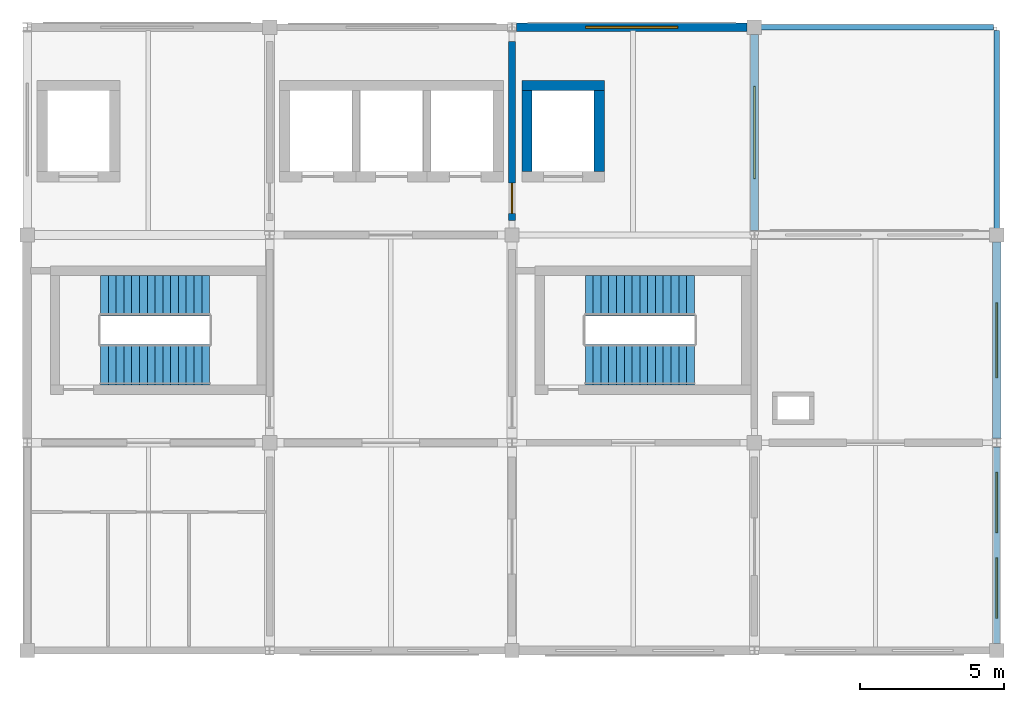
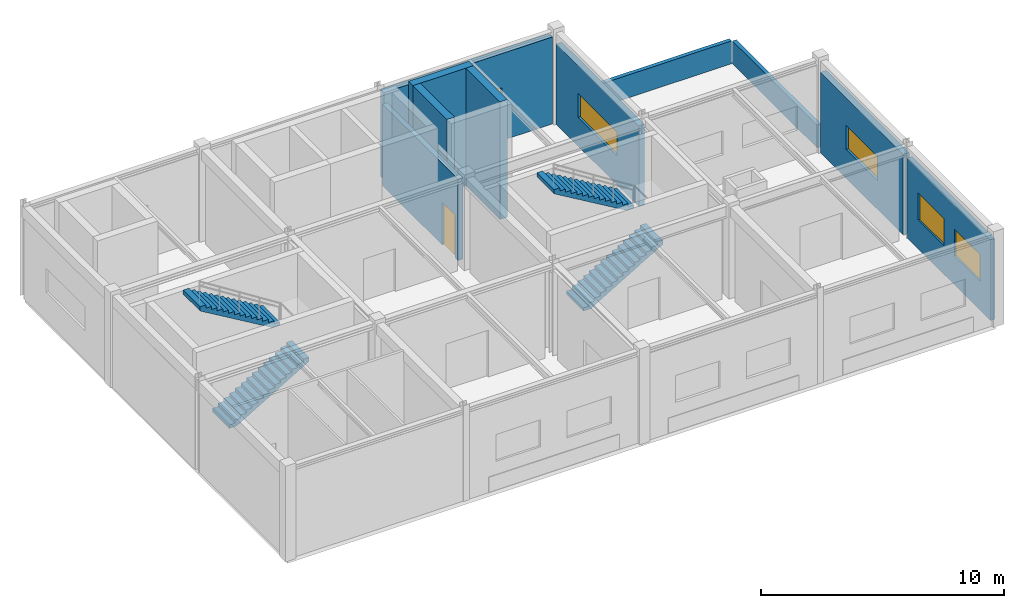
# One storey, part 4 of 5: 10 walls, 5 windows, 4 stair flights, 1 door, 6 openings, 2 elements without a shape of their own.
"""IFC4 building model written with IfcOpenShell, lengths in metres."""

from ifc_helpers import new_model, si_unit, derived_unit, direction, frame, frame_2d, origin, place, context, subcontext, project, spatial, polyline, rectangle, outline, extrude, material, layer, layer_set, type_object, element, fill, aggregate, save


model = new_model("IFC4")

# Units and contexts
model_context = context("Model", 3, precision=1e-05, world=origin(), true_north=direction((0.0, 1.0)))
body_context = subcontext(model_context, "Body", "Model", "MODEL_VIEW")
ifc_project = project(units=[si_unit("LENGTHUNIT", "METRE"), si_unit("AREAUNIT", "SQUARE_METRE"), si_unit("VOLUMEUNIT", "CUBIC_METRE"), si_unit("PLANEANGLEUNIT", "RADIAN"), si_unit("MASSUNIT", "GRAM", prefix="KILO"), derived_unit("THERMALTRANSMITTANCEUNIT", [(si_unit("MASSUNIT", "GRAM", prefix="KILO"), 1), (si_unit("TIMEUNIT", "SECOND"), -3), (si_unit("THERMODYNAMICTEMPERATUREUNIT", "KELVIN"), -1)])], contexts=[model_context])

# Site, building, storey
site_placement = place(None, origin())
site = spatial("IfcSite", under=ifc_project, at=site_placement, CompositionType="ELEMENT")
building_placement = place(site_placement, origin())
building = spatial("IfcBuilding", under=site, at=building_placement, Name="Veldstrom Oceanarium and Marine Research Institute", CompositionType="ELEMENT")
storey_placement = place(building_placement, frame((0.0, 0.0, 69.0)))
storey = spatial("IfcBuildingStorey", under=building, at=storey_placement, Name="L15", CompositionType="ELEMENT", Elevation=69.0)

# Wall, opening, window
ifc_material_1 = material(Name="Masonry Cavity Wall", Category="masonry")
ifc_layer_1 = layer(ifc_material_1, 0.2900390625)
ifc_layer_set_1 = layer_set([ifc_layer_1], Name="ARC-WAL-EW2")
wall_type_1 = type_object("IfcWallType", Name="ARC-WAL-EW2", PredefinedType="SOLIDWALL", material=ifc_layer_set_1)
wall_1_placement = place(storey_placement, frame((92.550048828125, 64.800048828125, 0.0), z_axis=(0.0, 0.0, 1.0), x_axis=(1.0, 0.0, 0.0)))
wall_1 = element("IfcWall", 1, at=wall_1_placement, inside=storey, type_object=wall_type_1, Name="Exterior Facade Wall EW2 L15-289", PredefinedType="SOLIDWALL", context=body_context, shape_type="SweptSolid", body=[
    extrude(rectangle(XDim=8.0, YDim=0.2900390625, at=frame_2d((4.0, 0.0))), origin(), (0.0, 0.0, 1.0), 4.364990234375),
])
opening_1_placement = place(wall_1_placement, frame((2.39990234375, 0.0, 1.449951171875)))
opening_1 = element("IfcOpeningElement", 2, at=opening_1_placement, cuts=wall_1, Name="Opening W17", PredefinedType="OPENING", context=body_context, shape_type="SweptSolid", body=[
    extrude(rectangle(XDim=3.199951171875, YDim=1.199951171875, at=frame_2d((1.60009765625, 0.60009765625))), frame((0.0, 0.155029296875, 0.0), z_axis=(0.0, -1.0, 0.0), x_axis=(1.0, 0.0, 0.0)), (0.0, 0.0, 1.0), 0.31005859375),
])
ifc_material_2 = material(Name="Double Glazed Low-E IGU", Category="glass")
window_type_1 = type_object("IfcWindowType", Name="ARC-WIN-W17", PartitioningType="SINGLE_PANEL", PredefinedType="WINDOW", material=ifc_material_2)
window_1_placement = place(opening_1_placement, origin())
window_1 = element("IfcWindow", 3, at=window_1_placement, inside=storey, type_object=window_type_1, Name="Facade Window W17 L15-0287", OverallHeight=1.199951171875, OverallWidth=3.199951171875, PartitioningType="SINGLE_PANEL", PredefinedType="WINDOW", context=body_context, shape_type="SweptSolid", body=[
    extrude(rectangle(XDim=3.199951171875, YDim=1.199951171875, at=frame_2d((1.60009765625, 0.60009765625))), frame((0.0, 0.030029296875, 0.0), z_axis=(0.0, -1.0, 0.0), x_axis=(1.0, 0.0, 0.0)), (0.0, 0.0, 1.0), 0.06005859375),
])
fill(opening_1, window_1)

wall_2_placement = place(storey_placement, frame((109.199951171875, 50.550048828125, 0.0), z_axis=(0.0, 0.0, 1.0), x_axis=(0.0, 1.0, 0.0)))
wall_2 = element("IfcWall", 4, at=wall_2_placement, inside=storey, type_object=wall_type_1, Name="Exterior Facade Wall EW2 L15-294", PredefinedType="SOLIDWALL", context=body_context, shape_type="SweptSolid", body=[
    extrude(rectangle(XDim=6.800048828125, YDim=0.2900390625, at=frame_2d((3.39990234375, 0.0))), origin(), (0.0, 0.0, 1.0), 4.044921875),
])
opening_2_placement = place(wall_2_placement, frame((2.10009765625, 0.0, 1.449951171875)))
opening_2 = element("IfcOpeningElement", 5, at=opening_2_placement, cuts=wall_2, Name="Opening W18", PredefinedType="OPENING", context=body_context, shape_type="SweptSolid", body=[
    extrude(rectangle(XDim=2.60009765625, YDim=1.199951171875, at=frame_2d((1.300048828125, 0.60009765625))), frame((0.0, 0.155029296875, 0.0), z_axis=(0.0, -1.0, 0.0), x_axis=(1.0, 0.0, 0.0)), (0.0, 0.0, 1.0), 0.31005859375),
])
ifc_material_3 = material(Name="Double Glazed Low-E IGU", Category="glass")
window_type_2 = type_object("IfcWindowType", Name="ARC-WIN-W18", PartitioningType="SINGLE_PANEL", PredefinedType="WINDOW", material=ifc_material_3)
window_2_placement = place(opening_2_placement, origin())
window_2 = element("IfcWindow", 6, at=window_2_placement, inside=storey, type_object=window_type_2, Name="Facade Window W18 L15-0295", OverallHeight=1.199951171875, OverallWidth=2.60009765625, PartitioningType="SINGLE_PANEL", PredefinedType="WINDOW", context=body_context, shape_type="SweptSolid", body=[
    extrude(rectangle(XDim=2.60009765625, YDim=1.199951171875, at=frame_2d((1.300048828125, 0.60009765625))), frame((0.0, 0.030029296875, 0.0), z_axis=(0.0, -1.0, 0.0), x_axis=(1.0, 0.0, 0.0)), (0.0, 0.0, 1.0), 0.06005859375),
])
fill(opening_2, window_2)

ifc_material_4 = material(Name="Masonry Cavity Wall", Category="masonry")
ifc_layer_2 = layer(ifc_material_4, 0.27001953125)
ifc_layer_set_2 = layer_set([ifc_layer_2], Name="ARC-WAL-EW3")
wall_type_2 = type_object("IfcWallType", Name="ARC-WAL-EW3", PredefinedType="SOLIDWALL", material=ifc_layer_set_2)
wall_3_placement = place(storey_placement, frame((100.800048828125, 57.75, 0.0), z_axis=(0.0, 0.0, 1.0), x_axis=(0.0, 1.0, 0.0)))
wall_3 = element("IfcWall", 7, at=wall_3_placement, inside=storey, type_object=wall_type_2, Name="Exterior Facade Wall EW3 L15-290", PredefinedType="SOLIDWALL", context=body_context, shape_type="SweptSolid", body=[
    extrude(rectangle(XDim=6.800048828125, YDim=0.27001953125, at=frame_2d((3.39990234375, 0.0))), origin(), (0.0, 0.0, 1.0), 4.044921875),
])
opening_3_placement = place(wall_3_placement, frame((1.800048828125, 0.0, 1.449951171875)))
opening_3 = element("IfcOpeningElement", 8, at=opening_3_placement, cuts=wall_3, Name="Opening W17", PredefinedType="OPENING", context=body_context, shape_type="SweptSolid", body=[
    extrude(rectangle(XDim=3.199951171875, YDim=1.199951171875, at=frame_2d((1.60009765625, 0.60009765625))), frame((0.0, 0.14501953125, 0.0), z_axis=(0.0, -1.0, 0.0), x_axis=(1.0, 0.0, 0.0)), (0.0, 0.0, 1.0), 0.2900390625),
])
window_3_placement = place(opening_3_placement, origin())
window_3 = element("IfcWindow", 9, at=window_3_placement, inside=storey, type_object=window_type_1, Name="Facade Window W17 L15-0288", OverallHeight=1.199951171875, OverallWidth=3.199951171875, PartitioningType="SINGLE_PANEL", PredefinedType="WINDOW", context=body_context, shape_type="SweptSolid", body=[
    extrude(rectangle(XDim=3.199951171875, YDim=1.199951171875, at=frame_2d((1.60009765625, 0.60009765625))), frame((0.0, 0.030029296875, 0.0), z_axis=(0.0, -1.0, 0.0), x_axis=(1.0, 0.0, 0.0)), (0.0, 0.0, 1.0), 0.06005859375),
])
fill(opening_3, window_3)

# Wall, openings, windows
ifc_material_5 = material(Name="Masonry Cavity Wall", Category="masonry")
ifc_layer_3 = layer(ifc_material_5, 0.215087890625)
ifc_layer_set_3 = layer_set([ifc_layer_3], Name="ARC-WAL-EW6")
wall_type_3 = type_object("IfcWallType", Name="ARC-WAL-EW6", PredefinedType="SOLIDWALL", material=ifc_layer_set_3)
wall_4_placement = place(storey_placement, frame((109.199951171875, 43.449951171875, 0.0), z_axis=(0.0, 0.0, 1.0), x_axis=(0.0, 1.0, 0.0)))
wall_4 = element("IfcWall", 10, at=wall_4_placement, inside=storey, type_object=wall_type_3, Name="Exterior Facade Wall EW6 L15-292", PredefinedType="SOLIDWALL", context=body_context, shape_type="SweptSolid", body=[
    extrude(rectangle(XDim=6.800048828125, YDim=0.215087890625, at=frame_2d((3.39990234375, 0.0))), origin(), (0.0, 0.0, 1.0), 4.044921875),
])
opening_4_placement = place(wall_4_placement, frame((0.86669921875, 0.0, 1.449951171875)))
opening_4 = element("IfcOpeningElement", 11, at=opening_4_placement, cuts=wall_4, Name="Opening W26", PredefinedType="OPENING", context=body_context, shape_type="SweptSolid", body=[
    extrude(rectangle(XDim=2.10009765625, YDim=1.35009765625, at=frame_2d((1.050048828125, 0.675048828125))), frame((0.0, 0.117431640625, 0.0), z_axis=(0.0, -1.0, 0.0), x_axis=(1.0, 0.0, 0.0)), (0.0, 0.0, 1.0), 0.235107421875),
])
opening_5_placement = place(wall_4_placement, frame((3.833251953125, 0.0, 1.449951171875)))
opening_5 = element("IfcOpeningElement", 12, at=opening_5_placement, cuts=wall_4, Name="Opening W26", PredefinedType="OPENING", context=body_context, shape_type="SweptSolid", body=[
    extrude(rectangle(XDim=2.10009765625, YDim=1.35009765625, at=frame_2d((1.050048828125, 0.675048828125))), frame((0.0, 0.117431640625, 0.0), z_axis=(0.0, -1.0, 0.0), x_axis=(1.0, 0.0, 0.0)), (0.0, 0.0, 1.0), 0.235107421875),
])
ifc_material_6 = material(Name="Double Glazed Low-E IGU", Category="glass")
window_type_3 = type_object("IfcWindowType", Name="ARC-WIN-W26", PartitioningType="SINGLE_PANEL", PredefinedType="WINDOW", material=ifc_material_6)
window_4_placement = place(opening_4_placement, origin())
window_4 = element("IfcWindow", 13, at=window_4_placement, inside=storey, type_object=window_type_3, Name="Facade Window W26 L15-0291", OverallHeight=1.35009765625, OverallWidth=2.10009765625, PartitioningType="SINGLE_PANEL", PredefinedType="WINDOW", context=body_context, shape_type="SweptSolid", body=[
    extrude(rectangle(XDim=2.10009765625, YDim=1.35009765625, at=frame_2d((1.050048828125, 0.675048828125))), frame((0.0, 0.030029296875, 0.0), z_axis=(0.0, -1.0, 0.0), x_axis=(1.0, 0.0, 0.0)), (0.0, 0.0, 1.0), 0.06005859375),
])
fill(opening_4, window_4)
window_5_placement = place(opening_5_placement, origin())
window_5 = element("IfcWindow", 14, at=window_5_placement, inside=storey, type_object=window_type_3, Name="Facade Window W26 L15-0292", OverallHeight=1.35009765625, OverallWidth=2.10009765625, PartitioningType="SINGLE_PANEL", PredefinedType="WINDOW", context=body_context, shape_type="SweptSolid", body=[
    extrude(rectangle(XDim=2.10009765625, YDim=1.35009765625, at=frame_2d((1.050048828125, 0.675048828125))), frame((0.0, 0.030029296875, 0.0), z_axis=(0.0, -1.0, 0.0), x_axis=(1.0, 0.0, 0.0)), (0.0, 0.0, 1.0), 0.06005859375),
])
fill(opening_5, window_5)

# Walls
ifc_material_7 = material(Name="Masonry Cavity Wall", Category="masonry")
ifc_layer_4 = layer(ifc_material_7, 0.18505859375)
ifc_layer_set_4 = layer_set([ifc_layer_4], Name="ARC-WAL-PR2")
wall_type_4 = type_object("IfcWallType", Name="ARC-WAL-PR2", PredefinedType="PARAPET", material=ifc_layer_set_4)
wall_5_placement = place(storey_placement, frame((100.919921875, 64.800048828125, 0.0), z_axis=(0.0, 0.0, 1.0), x_axis=(1.0, 0.0, 0.0)))
element("IfcWall", 15, at=wall_5_placement, inside=storey, type_object=wall_type_4, Name="Roof Parapet Wall L14-113", PredefinedType="PARAPET", context=body_context, shape_type="SweptSolid", body=[
    extrude(rectangle(XDim=8.16015625, YDim=0.18505859375, at=frame_2d((4.080078125, 0.0))), origin(), (0.0, 0.0, 1.0), 1.14990234375),
])
wall_6_placement = place(storey_placement, frame((109.199951171875, 57.719970703125, 0.0), z_axis=(0.0, 0.0, 1.0), x_axis=(0.0, 1.0, 0.0)))
element("IfcWall", 16, at=wall_6_placement, inside=storey, type_object=wall_type_4, Name="Roof Parapet Wall L14-114", PredefinedType="PARAPET", context=body_context, shape_type="SweptSolid", body=[
    extrude(rectangle(XDim=6.9599609375, YDim=0.18505859375, at=frame_2d((3.47998046875, 0.0))), origin(), (0.0, 0.0, 1.0), 1.14990234375),
])

# Wall, opening, door
ifc_material_8 = material(Name="Masonry Fire Compartment Wall", Category="masonry")
ifc_layer_5 = layer(ifc_material_8, 0.22998046875)
ifc_layer_set_5 = layer_set([ifc_layer_5], Name="ARC-WAL-PT1")
wall_type_5 = type_object("IfcWallType", Name="ARC-WAL-PT1", PredefinedType="PARTITIONING", material=ifc_layer_set_5)
wall_7_placement = place(storey_placement, frame((92.39990234375, 58.10009765625, 0.0), z_axis=(0.0, 0.0, 1.0), x_axis=(0.0, 1.0, 0.0)))
wall_7 = element("IfcWall", 17, at=wall_7_placement, inside=storey, type_object=wall_type_5, Name="Interior Partition PT1 L15-1797", PredefinedType="PARTITIONING", context=body_context, shape_type="SweptSolid", body=[
    extrude(rectangle(XDim=6.199951171875, YDim=0.22998046875, at=frame_2d((3.10009765625, 0.0))), origin(), (0.0, 0.0, 1.0), 4.094970703125),
])
opening_6_placement = place(wall_7_placement, frame((0.25, 0.0, 0.0)))
opening_6 = element("IfcOpeningElement", 18, at=opening_6_placement, cuts=wall_7, Name="Opening D-L15-1116", PredefinedType="OPENING", context=body_context, shape_type="SweptSolid", body=[
    extrude(rectangle(XDim=1.050048828125, YDim=2.14990234375, at=frame_2d((0.52490234375, 1.074951171875))), frame((0.0, 0.125, 0.0), z_axis=(0.0, -1.0, 0.0), x_axis=(1.0, 0.0, 0.0)), (0.0, 0.0, 1.0), 0.25),
])
ifc_material_9 = material(Name="Painted Steel Fire Door", Category="steel")
door_type = type_object("IfcDoorType", Name="ARC-DOR-SD1", OperationType="SINGLE_SWING_LEFT", PredefinedType="DOOR", material=ifc_material_9)
door_placement = place(opening_6_placement, origin())
door = element("IfcDoor", 19, at=door_placement, inside=storey, type_object=door_type, Name="Interior Door D-L15-1116", OperationType="SINGLE_SWING_LEFT", OverallHeight=2.14990234375, OverallWidth=1.050048828125, PredefinedType="DOOR", context=body_context, shape_type="SweptSolid", body=[
    extrude(rectangle(XDim=1.050048828125, YDim=2.14990234375, at=frame_2d((0.52490234375, 1.074951171875))), frame((0.0, 0.02490234375, 0.0), z_axis=(0.0, -1.0, 0.0), x_axis=(1.0, 0.0, 0.0)), (0.0, 0.0, 1.0), 0.050048828125),
])
fill(opening_6, door)

# Walls
ifc_material_10 = material(Name="Concrete C40/50", Category="concrete")
ifc_layer_6 = layer(ifc_material_10, 0.360107421875)
ifc_layer_set_6 = layer_set([ifc_layer_6], Name="STR-WAL-WC2")
wall_type_6 = type_object("IfcWallType", Name="STR-WAL-WC2", PredefinedType="SHEAR", material=ifc_layer_set_6)
wall_8_placement = place(storey_placement, frame((92.739990234375, 62.780029296875, 0.0), z_axis=(0.0, 0.0, 1.0), x_axis=(1.0, 0.0, 0.0)))
element("IfcWall", 20, at=wall_8_placement, inside=storey, type_object=wall_type_6, Name="Lift Shaft Shear Wall N L15 11/8", PredefinedType="SHEAR", context=body_context, shape_type="SweptSolid", body=[
    extrude(rectangle(XDim=2.8701171875, YDim=0.360107421875, at=frame_2d((1.43505859375, 0.0))), origin(), (0.0, 0.0, 1.0), 5.89990234375),
])
for number, where, z_axis, x_axis, name in (
    (21, (92.919921875, 59.800048828125, 0.0), (0.0, 0.0, 1.0), (0.0, 1.0, 0.0), "Lift Shaft Shear Wall W L15 11/8"),
    (22, (95.429931640625, 59.800048828125, 0.0), (0.0, 0.0, 1.0), (0.0, 1.0, 0.0), "Lift Shaft Shear Wall E L15 11/8"),
):
    element("IfcWall", number, at=place(storey_placement, frame(where, z_axis=z_axis, x_axis=x_axis)), inside=storey, type_object=wall_type_6, Name=name, PredefinedType="SHEAR", context=body_context, shape_type="SweptSolid", body=[
        extrude(rectangle(XDim=2.800048828125, YDim=0.360107421875, at=frame_2d((1.39990234375, 0.0))), origin(), (0.0, 0.0, 1.0), 5.89990234375),
    ])

# Stair, stair flights
ifc_material_11 = material(Name="Concrete C40/50", Category="concrete")
stair_type = type_object("IfcStairType", Name="ARC-STR-ST-480", PredefinedType="TWO_STRAIGHT_RUN_STAIR", material=ifc_material_11)
stair_1_placement = place(storey_placement, origin())
stair_1 = element("IfcStair", 23, at=stair_1_placement, inside=storey, type_object=stair_type, Name="Dog-Leg Escape Stair ST1-L15", PredefinedType="TWO_STRAIGHT_RUN_STAIR")
ifc_material_12 = material(Name="Concrete C40/50", Category="concrete")
stair_flight_type = type_object("IfcStairFlightType", Name="ARC-STF-ST-480", PredefinedType="STRAIGHT", material=ifc_material_12)
stair_flight_1_placement = place(storey_placement, frame((78.139892578125, 53.10009765625, 0.0), z_axis=(0.0, 0.0, 1.0), x_axis=(1.0, 0.0, 0.0)))
stair_flight_1 = element("IfcStairFlight", 24, at=stair_flight_1_placement, type_object=stair_flight_type, Name="Stair Flight ST1-L15-1", NumberOfRisers=15, NumberOfTreads=14, PredefinedType="STRAIGHT", RiserHeight=0.16, TreadLength=0.27, context=body_context, shape_type="SweptSolid", body=[
    extrude(outline(polyline([(0.0, 0.0), (0.0, 0.159912109375), (0.27001953125, 0.159912109375), (0.27001953125, 0.320068359375), (0.5400390625, 0.320068359375), (0.5400390625, 0.47998046875), (0.81005859375, 0.47998046875), (0.81005859375, 0.639892578125), (1.080078125, 0.639892578125), (1.080078125, 0.800048828125), (1.35009765625, 0.800048828125), (1.35009765625, 0.9599609375), (1.6201171875, 0.9599609375), (1.6201171875, 1.1201171875), (1.889892578125, 1.1201171875), (1.889892578125, 1.280029296875), (2.159912109375, 1.280029296875), (2.159912109375, 1.43994140625), (2.429931640625, 1.43994140625), (2.429931640625, 1.60009765625), (2.699951171875, 1.60009765625), (2.699951171875, 1.760009765625), (2.969970703125, 1.760009765625), (2.969970703125, 1.919921875), (3.239990234375, 1.919921875), (3.239990234375, 2.080078125), (3.510009765625, 2.080078125), (3.510009765625, 2.239990234375), (3.780029296875, 2.239990234375), (3.780029296875, 2.39990234375), (3.780029296875, 2.03076171875), (0.35302734375, 0.0), (0.0, 0.0)])), frame((0.0, 0.699951171875, 0.0), z_axis=(0.0, -1.0, 0.0), x_axis=(1.0, 0.0, 0.0)), (0.0, 0.0, 1.0), 1.39990234375),
])
stair_flight_2_placement = place(storey_placement, frame((81.919921875, 55.5, 2.39990234375), z_axis=(0.0, 0.0, 1.0), x_axis=(-1.0, 0.0, 0.0)))
stair_flight_2 = element("IfcStairFlight", 25, at=stair_flight_2_placement, type_object=stair_flight_type, Name="Stair Flight ST1-L15-2", NumberOfRisers=15, NumberOfTreads=14, PredefinedType="STRAIGHT", RiserHeight=0.16, TreadLength=0.27, context=body_context, shape_type="SweptSolid", body=[
    extrude(outline(polyline([(0.0, 0.0), (0.0, 0.159912109375), (0.27001953125, 0.159912109375), (0.27001953125, 0.320068359375), (0.5400390625, 0.320068359375), (0.5400390625, 0.47998046875), (0.81005859375, 0.47998046875), (0.81005859375, 0.639892578125), (1.080078125, 0.639892578125), (1.080078125, 0.800048828125), (1.35009765625, 0.800048828125), (1.35009765625, 0.9599609375), (1.6201171875, 0.9599609375), (1.6201171875, 1.1201171875), (1.889892578125, 1.1201171875), (1.889892578125, 1.280029296875), (2.159912109375, 1.280029296875), (2.159912109375, 1.43994140625), (2.429931640625, 1.43994140625), (2.429931640625, 1.60009765625), (2.699951171875, 1.60009765625), (2.699951171875, 1.760009765625), (2.969970703125, 1.760009765625), (2.969970703125, 1.919921875), (3.239990234375, 1.919921875), (3.239990234375, 2.080078125), (3.510009765625, 2.080078125), (3.510009765625, 2.239990234375), (3.780029296875, 2.239990234375), (3.780029296875, 2.39990234375), (3.780029296875, 2.03076171875), (0.35302734375, 0.0), (0.0, 0.0)])), frame((0.0, 0.699951171875, 0.0), z_axis=(0.0, -1.0, 0.0), x_axis=(1.0, 0.0, 0.0)), (0.0, 0.0, 1.0), 1.39990234375),
])
aggregate(stair_1, [stair_flight_1, stair_flight_2])

stair_2_placement = place(storey_placement, origin())
stair_2 = element("IfcStair", 26, at=stair_2_placement, inside=storey, type_object=stair_type, Name="Dog-Leg Escape Stair ST2-L15", PredefinedType="TWO_STRAIGHT_RUN_STAIR")
stair_flight_3_placement = place(storey_placement, frame((94.93994140625, 53.10009765625, 0.0), z_axis=(0.0, 0.0, 1.0), x_axis=(1.0, 0.0, 0.0)))
stair_flight_3 = element("IfcStairFlight", 27, at=stair_flight_3_placement, type_object=stair_flight_type, Name="Stair Flight ST2-L15-1", NumberOfRisers=15, NumberOfTreads=14, PredefinedType="STRAIGHT", RiserHeight=0.16, TreadLength=0.27, context=body_context, shape_type="SweptSolid", body=[
    extrude(outline(polyline([(0.0, 0.0), (0.0, 0.159912109375), (0.27001953125, 0.159912109375), (0.27001953125, 0.320068359375), (0.5400390625, 0.320068359375), (0.5400390625, 0.47998046875), (0.81005859375, 0.47998046875), (0.81005859375, 0.639892578125), (1.080078125, 0.639892578125), (1.080078125, 0.800048828125), (1.35009765625, 0.800048828125), (1.35009765625, 0.9599609375), (1.6201171875, 0.9599609375), (1.6201171875, 1.1201171875), (1.889892578125, 1.1201171875), (1.889892578125, 1.280029296875), (2.159912109375, 1.280029296875), (2.159912109375, 1.43994140625), (2.429931640625, 1.43994140625), (2.429931640625, 1.60009765625), (2.699951171875, 1.60009765625), (2.699951171875, 1.760009765625), (2.969970703125, 1.760009765625), (2.969970703125, 1.919921875), (3.239990234375, 1.919921875), (3.239990234375, 2.080078125), (3.510009765625, 2.080078125), (3.510009765625, 2.239990234375), (3.780029296875, 2.239990234375), (3.780029296875, 2.39990234375), (3.780029296875, 2.03076171875), (0.35302734375, 0.0), (0.0, 0.0)])), frame((0.0, 0.699951171875, 0.0), z_axis=(0.0, -1.0, 0.0), x_axis=(1.0, 0.0, 0.0)), (0.0, 0.0, 1.0), 1.39990234375),
])
stair_flight_4_placement = place(storey_placement, frame((98.719970703125, 55.5, 2.39990234375), z_axis=(0.0, 0.0, 1.0), x_axis=(-1.0, 0.0, 0.0)))
stair_flight_4 = element("IfcStairFlight", 28, at=stair_flight_4_placement, type_object=stair_flight_type, Name="Stair Flight ST2-L15-2", NumberOfRisers=15, NumberOfTreads=14, PredefinedType="STRAIGHT", RiserHeight=0.16, TreadLength=0.27, context=body_context, shape_type="SweptSolid", body=[
    extrude(outline(polyline([(0.0, 0.0), (0.0, 0.159912109375), (0.27001953125, 0.159912109375), (0.27001953125, 0.320068359375), (0.5400390625, 0.320068359375), (0.5400390625, 0.47998046875), (0.81005859375, 0.47998046875), (0.81005859375, 0.639892578125), (1.080078125, 0.639892578125), (1.080078125, 0.800048828125), (1.35009765625, 0.800048828125), (1.35009765625, 0.9599609375), (1.6201171875, 0.9599609375), (1.6201171875, 1.1201171875), (1.889892578125, 1.1201171875), (1.889892578125, 1.280029296875), (2.159912109375, 1.280029296875), (2.159912109375, 1.43994140625), (2.429931640625, 1.43994140625), (2.429931640625, 1.60009765625), (2.699951171875, 1.60009765625), (2.699951171875, 1.760009765625), (2.969970703125, 1.760009765625), (2.969970703125, 1.919921875), (3.239990234375, 1.919921875), (3.239990234375, 2.080078125), (3.510009765625, 2.080078125), (3.510009765625, 2.239990234375), (3.780029296875, 2.239990234375), (3.780029296875, 2.39990234375), (3.780029296875, 2.03076171875), (0.35302734375, 0.0), (0.0, 0.0)])), frame((0.0, 0.699951171875, 0.0), z_axis=(0.0, -1.0, 0.0), x_axis=(1.0, 0.0, 0.0)), (0.0, 0.0, 1.0), 1.39990234375),
])
aggregate(stair_2, [stair_flight_3, stair_flight_4])

save(model, "model.ifc")
